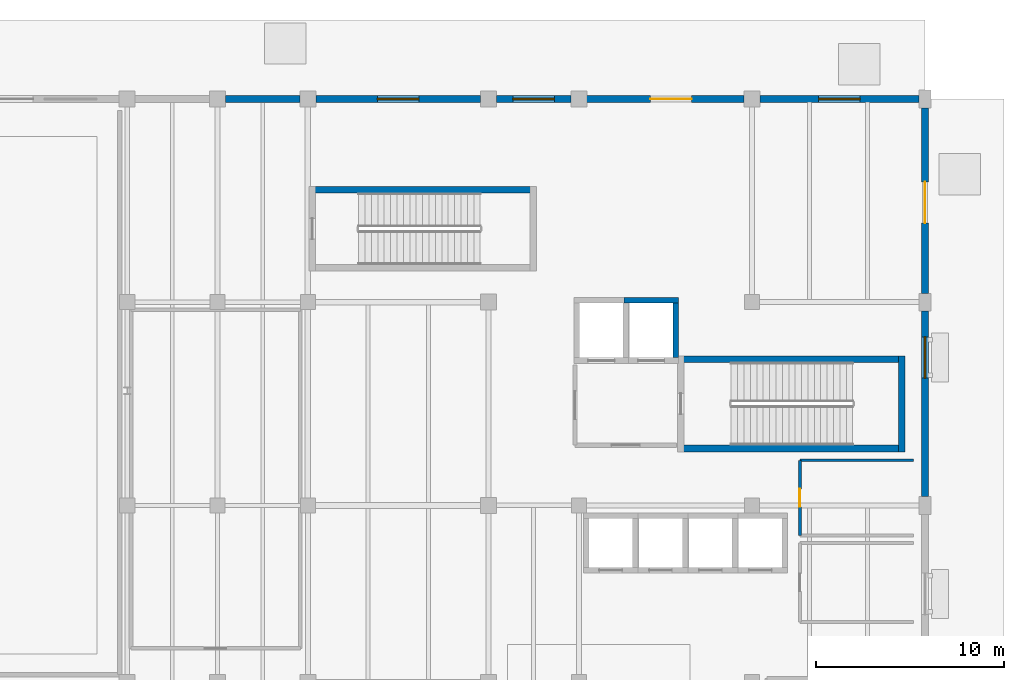
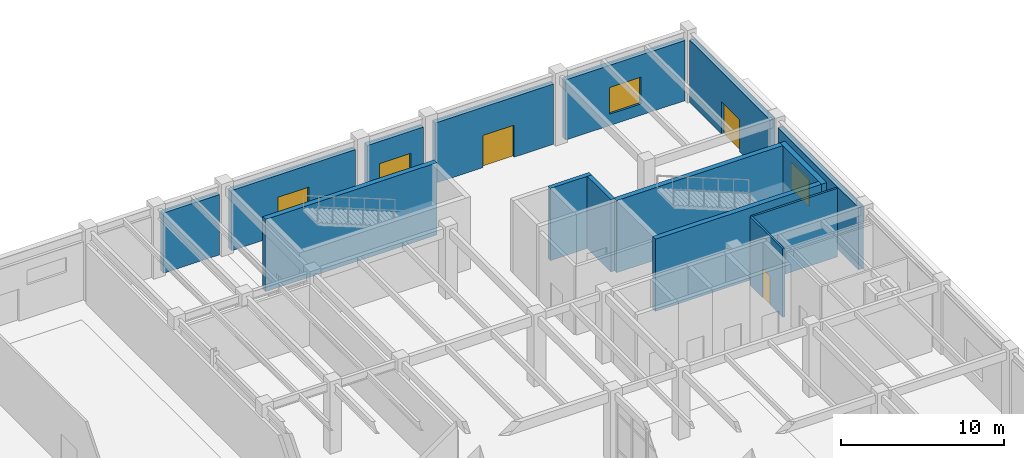
# One storey, part 36 of 54: 15 walls, 4 windows, 3 doors, 7 openings.
"""IFC4 building model written with IfcOpenShell, lengths in metres."""

from ifc_helpers import new_model, si_unit, direction, frame, frame_2d, origin, place, context, subcontext, project, spatial, rectangle, extrude, material, layer, layer_set, type_object, element, fill, save


model = new_model("IFC4")

# Units and contexts
model_context = context("Model", 3, precision=1e-05, world=origin(), true_north=direction((0.0, 1.0)))
body_context = subcontext(model_context, "Body", "Model", "MODEL_VIEW")
ifc_project = project(units=[si_unit("LENGTHUNIT", "METRE"), si_unit("AREAUNIT", "SQUARE_METRE"), si_unit("VOLUMEUNIT", "CUBIC_METRE"), si_unit("PLANEANGLEUNIT", "RADIAN"), si_unit("MASSUNIT", "GRAM", prefix="KILO")], contexts=[model_context])

# Site, building, storey
site_placement = place(None, origin())
site = spatial("IfcSite", under=ifc_project, at=site_placement, CompositionType="ELEMENT")
building_placement = place(site_placement, origin())
building = spatial("IfcBuilding", under=site, at=building_placement, Name="Veldera Park Congress Hotel", CompositionType="ELEMENT")
storey_placement = place(building_placement, origin())
storey = spatial("IfcBuildingStorey", under=building, at=storey_placement, Name="L00", CompositionType="ELEMENT", Elevation=0.0)

# Wall
ifc_material_1 = material(Name="Architectural Sandstone Cladding (ASTM C616)", Category="masonry")
ifc_layer_1 = layer(ifc_material_1, 0.360107421875)
ifc_layer_set_1 = layer_set([ifc_layer_1], Name="Architectural Sandstone Cladding (ASTM C616)")
wall_type_1 = type_object("IfcWallType", Name="EW-STONE360", PredefinedType="STANDARD", material=ifc_layer_set_1)
wall_1_placement = place(storey_placement, frame((50.777099609375, 58.0, 0.0), z_axis=(0.0, 0.0, 1.0), x_axis=(-1.0, 0.0, 0.0)))
element("IfcWall", 1, at=wall_1_placement, inside=storey, type_object=wall_type_1, Name="L00 Exterior Wall EW3-L00-0024", PredefinedType="STANDARD", context=body_context, shape_type="SweptSolid", body=[
    extrude(rectangle(XDim=3.9541015625, YDim=0.360107421875, at=frame_2d((1.97705078125, 0.0))), origin(), (0.0, 0.0, 1.0), 4.5029296875),
])

# Wall, opening, window
wall_2_placement = place(storey_placement, frame((84.0, 36.873046875, 0.0), z_axis=(0.0, 0.0, 1.0), x_axis=(0.0, 1.0, 0.0)))
wall_2 = element("IfcWall", 2, at=wall_2_placement, inside=storey, type_object=wall_type_1, Name="L00 Exterior Wall EW3-L00-0126", PredefinedType="STANDARD", context=body_context, shape_type="SweptSolid", body=[
    extrude(rectangle(XDim=9.85400390625, YDim=0.360107421875, at=frame_2d((4.927001953125, 0.0))), origin(), (0.0, 0.0, 1.0), 4.652099609375),
])
opening_1_placement = place(wall_2_placement, frame((6.29052734375, 0.0, 0.85009765625)))
opening_1 = element("IfcOpeningElement", 3, at=opening_1_placement, cuts=wall_2, Name="Opening WIN-2200", PredefinedType="OPENING", context=body_context, shape_type="SweptSolid", body=[
    extrude(rectangle(XDim=2.199951171875, YDim=2.0, at=frame_2d((1.10009765625, 1.0))), frame((0.0, 0.192138671875, 0.0), z_axis=(0.0, -1.0, 0.0), x_axis=(1.0, 0.0, 0.0)), (0.0, 0.0, 1.0), 0.384033203125),
])
ifc_material_2 = material(Name="Low-E Triple Insulating Glass Unit (SHGC 0.22)", Category="glass")
window_type = type_object("IfcWindowType", Name="WIN-2200", PartitioningType="DOUBLE_PANEL_VERTICAL", PredefinedType="WINDOW", material=ifc_material_2)
window_1_placement = place(opening_1_placement, origin())
window_1 = element("IfcWindow", 4, at=window_1_placement, inside=storey, type_object=window_type, Name="L00 Window WIN-2200 135", OverallHeight=2.0, OverallWidth=2.199951171875, PartitioningType="DOUBLE_PANEL_VERTICAL", PredefinedType="WINDOW", context=body_context, shape_type="SweptSolid", body=[
    extrude(rectangle(XDim=2.199951171875, YDim=2.0, at=frame_2d((1.10009765625, 1.0))), frame((0.0, 0.030029296875, 0.0), z_axis=(0.0, -1.0, 0.0), x_axis=(1.0, 0.0, 0.0)), (0.0, 0.0, 1.0), 0.06005859375),
])
fill(opening_1, window_1)

# Wall, opening, door
wall_3_placement = place(storey_placement, frame((84.0, 47.673095703125, 0.0), z_axis=(0.0, 0.0, 1.0), x_axis=(0.0, 1.0, 0.0)))
wall_3 = element("IfcWall", 5, at=wall_3_placement, inside=storey, type_object=wall_type_1, Name="L00 Exterior Wall EW3-L00-0127", PredefinedType="STANDARD", context=body_context, shape_type="SweptSolid", body=[
    extrude(rectangle(XDim=9.85400390625, YDim=0.360107421875, at=frame_2d((4.927001953125, 0.0))), origin(), (0.0, 0.0, 1.0), 4.652099609375),
])
opening_2_placement = place(wall_3_placement, frame((3.72705078125, 0.0, 0.0)))
opening_2 = element("IfcOpeningElement", 6, at=opening_2_placement, cuts=wall_3, Name="Opening ED-EXIT220", PredefinedType="OPENING", context=body_context, shape_type="SweptSolid", body=[
    extrude(rectangle(XDim=2.199951171875, YDim=2.39990234375, at=frame_2d((1.10009765625, 1.199951171875))), frame((0.0, 0.192138671875, 0.0), z_axis=(0.0, -1.0, 0.0), x_axis=(1.0, 0.0, 0.0)), (0.0, 0.0, 1.0), 0.384033203125),
])
ifc_material_3 = material(Name="Anodised Aluminium Alloy 6063-T6", Category="aluminium")
door_type_1 = type_object("IfcDoorType", Name="ED-EXIT220", OperationType="DOUBLE_DOOR_SINGLE_SWING", PredefinedType="DOOR", material=ifc_material_3)
door_1_placement = place(opening_2_placement, frame((2.199951171875, 0.0, 0.0), z_axis=(0.0, 0.0, 1.0), x_axis=(-1.0, 0.0, 0.0)))
door_1 = element("IfcDoor", 7, at=door_1_placement, inside=storey, type_object=door_type_1, Name="Exterior Door ED-20 (DR3-EXT-L00-0022)", OperationType="DOUBLE_DOOR_SINGLE_SWING", OverallHeight=2.39990234375, OverallWidth=2.199951171875, PredefinedType="DOOR", context=body_context, shape_type="SweptSolid", body=[
    extrude(rectangle(XDim=2.199951171875, YDim=2.39990234375, at=frame_2d((1.10009765625, 1.199951171875))), frame((0.0, 0.02490234375, 0.0), z_axis=(0.0, -1.0, 0.0), x_axis=(1.0, 0.0, 0.0)), (0.0, 0.0, 1.0), 0.050048828125),
])
fill(opening_2, door_1)

# Wall, opening, window
wall_4_placement = place(storey_placement, frame((83.677001953125, 58.0, 0.0), z_axis=(0.0, 0.0, 1.0), x_axis=(-1.0, 0.0, 0.0)))
wall_4 = element("IfcWall", 8, at=wall_4_placement, inside=storey, type_object=wall_type_1, Name="L00 Exterior Wall EW3-L00-0128", PredefinedType="STANDARD", context=body_context, shape_type="SweptSolid", body=[
    extrude(rectangle(XDim=8.4541015625, YDim=0.360107421875, at=frame_2d((4.22705078125, 0.0))), origin(), (0.0, 0.0, 1.0), 4.5029296875),
])
opening_3_placement = place(wall_4_placement, frame((3.126953125, 0.0, 0.85009765625)))
opening_3 = element("IfcOpeningElement", 9, at=opening_3_placement, cuts=wall_4, Name="Opening WIN-2200", PredefinedType="OPENING", context=body_context, shape_type="SweptSolid", body=[
    extrude(rectangle(XDim=2.199951171875, YDim=2.0, at=frame_2d((1.10009765625, 1.0))), frame((0.0, 0.192138671875, 0.0), z_axis=(0.0, -1.0, 0.0), x_axis=(1.0, 0.0, 0.0)), (0.0, 0.0, 1.0), 0.384033203125),
])
window_2_placement = place(opening_3_placement, origin())
window_2 = element("IfcWindow", 10, at=window_2_placement, inside=storey, type_object=window_type, Name="L00 Window WIN-2200 136", OverallHeight=2.0, OverallWidth=2.199951171875, PartitioningType="DOUBLE_PANEL_VERTICAL", PredefinedType="WINDOW", context=body_context, shape_type="SweptSolid", body=[
    extrude(rectangle(XDim=2.199951171875, YDim=2.0, at=frame_2d((1.10009765625, 1.0))), frame((0.0, 0.030029296875, 0.0), z_axis=(0.0, -1.0, 0.0), x_axis=(1.0, 0.0, 0.0)), (0.0, 0.0, 1.0), 0.06005859375),
])
fill(opening_3, window_2)

# Wall, opening, door
wall_5_placement = place(storey_placement, frame((74.376953125, 58.0, 0.0), z_axis=(0.0, 0.0, 1.0), x_axis=(-1.0, 0.0, 0.0)))
wall_5 = element("IfcWall", 11, at=wall_5_placement, inside=storey, type_object=wall_type_1, Name="L00 Exterior Wall EW3-L00-0129", PredefinedType="STANDARD", context=body_context, shape_type="SweptSolid", body=[
    extrude(rectangle(XDim=8.35400390625, YDim=0.360107421875, at=frame_2d((4.177001953125, 0.0))), origin(), (0.0, 0.0, 1.0), 4.5029296875),
])
opening_4_placement = place(wall_5_placement, frame((2.777099609375, 0.0, 0.0)))
opening_4 = element("IfcOpeningElement", 12, at=opening_4_placement, cuts=wall_5, Name="Opening ED-EXIT220", PredefinedType="OPENING", context=body_context, shape_type="SweptSolid", body=[
    extrude(rectangle(XDim=2.199951171875, YDim=2.39990234375, at=frame_2d((1.10009765625, 1.199951171875))), frame((0.0, 0.192138671875, 0.0), z_axis=(0.0, -1.0, 0.0), x_axis=(1.0, 0.0, 0.0)), (0.0, 0.0, 1.0), 0.384033203125),
])
door_2_placement = place(opening_4_placement, frame((2.199951171875, 0.0, 0.0), z_axis=(0.0, 0.0, 1.0), x_axis=(-1.0, 0.0, 0.0)))
door_2 = element("IfcDoor", 13, at=door_2_placement, inside=storey, type_object=door_type_1, Name="Exterior Door ED-21 (DR3-EXT-L00-0023)", OperationType="DOUBLE_DOOR_SINGLE_SWING", OverallHeight=2.39990234375, OverallWidth=2.199951171875, PredefinedType="DOOR", context=body_context, shape_type="SweptSolid", body=[
    extrude(rectangle(XDim=2.199951171875, YDim=2.39990234375, at=frame_2d((1.10009765625, 1.199951171875))), frame((0.0, 0.02490234375, 0.0), z_axis=(0.0, -1.0, 0.0), x_axis=(1.0, 0.0, 0.0)), (0.0, 0.0, 1.0), 0.050048828125),
])
fill(opening_4, door_2)

# Wall, opening, window
wall_6_placement = place(storey_placement, frame((65.177001953125, 58.0, 0.0), z_axis=(0.0, 0.0, 1.0), x_axis=(-1.0, 0.0, 0.0)))
wall_6 = element("IfcWall", 14, at=wall_6_placement, inside=storey, type_object=wall_type_1, Name="L00 Exterior Wall EW3-L00-0130", PredefinedType="STANDARD", context=body_context, shape_type="SweptSolid", body=[
    extrude(rectangle(XDim=3.9541015625, YDim=0.360107421875, at=frame_2d((1.97705078125, 0.0))), origin(), (0.0, 0.0, 1.0), 4.5029296875),
])
opening_5_placement = place(wall_6_placement, frame((0.876953125, 0.0, 0.85009765625)))
opening_5 = element("IfcOpeningElement", 15, at=opening_5_placement, cuts=wall_6, Name="Opening WIN-2200", PredefinedType="OPENING", context=body_context, shape_type="SweptSolid", body=[
    extrude(rectangle(XDim=2.199951171875, YDim=2.0, at=frame_2d((1.10009765625, 1.0))), frame((0.0, 0.192138671875, 0.0), z_axis=(0.0, -1.0, 0.0), x_axis=(1.0, 0.0, 0.0)), (0.0, 0.0, 1.0), 0.384033203125),
])
window_3_placement = place(opening_5_placement, origin())
window_3 = element("IfcWindow", 16, at=window_3_placement, inside=storey, type_object=window_type, Name="L00 Window WIN-2200 137", OverallHeight=2.0, OverallWidth=2.199951171875, PartitioningType="DOUBLE_PANEL_VERTICAL", PredefinedType="WINDOW", context=body_context, shape_type="SweptSolid", body=[
    extrude(rectangle(XDim=2.199951171875, YDim=2.0, at=frame_2d((1.10009765625, 1.0))), frame((0.0, 0.030029296875, 0.0), z_axis=(0.0, -1.0, 0.0), x_axis=(1.0, 0.0, 0.0)), (0.0, 0.0, 1.0), 0.06005859375),
])
fill(opening_5, window_3)

wall_7_placement = place(storey_placement, frame((60.376953125, 58.0, 0.0), z_axis=(0.0, 0.0, 1.0), x_axis=(-1.0, 0.0, 0.0)))
wall_7 = element("IfcWall", 17, at=wall_7_placement, inside=storey, type_object=wall_type_1, Name="L00 Exterior Wall EW3-L00-0131", PredefinedType="STANDARD", context=body_context, shape_type="SweptSolid", body=[
    extrude(rectangle(XDim=8.75390625, YDim=0.360107421875, at=frame_2d((4.376953125, 0.0))), origin(), (0.0, 0.0, 1.0), 4.5029296875),
])
opening_6_placement = place(wall_7_placement, frame((3.277099609375, 0.0, 0.85009765625)))
opening_6 = element("IfcOpeningElement", 18, at=opening_6_placement, cuts=wall_7, Name="Opening WIN-2200", PredefinedType="OPENING", context=body_context, shape_type="SweptSolid", body=[
    extrude(rectangle(XDim=2.199951171875, YDim=2.0, at=frame_2d((1.10009765625, 1.0))), frame((0.0, 0.192138671875, 0.0), z_axis=(0.0, -1.0, 0.0), x_axis=(1.0, 0.0, 0.0)), (0.0, 0.0, 1.0), 0.384033203125),
])
window_4_placement = place(opening_6_placement, origin())
window_4 = element("IfcWindow", 19, at=window_4_placement, inside=storey, type_object=window_type, Name="L00 Window WIN-2200 138", OverallHeight=2.0, OverallWidth=2.199951171875, PartitioningType="DOUBLE_PANEL_VERTICAL", PredefinedType="WINDOW", context=body_context, shape_type="SweptSolid", body=[
    extrude(rectangle(XDim=2.199951171875, YDim=2.0, at=frame_2d((1.10009765625, 1.0))), frame((0.0, 0.030029296875, 0.0), z_axis=(0.0, -1.0, 0.0), x_axis=(1.0, 0.0, 0.0)), (0.0, 0.0, 1.0), 0.06005859375),
])
fill(opening_6, window_4)

# Wall
ifc_material_4 = material(Name="Fire-Rated Gypsum Board on Cold-Formed Steel Studs", Category="steel")
ifc_layer_2 = layer(ifc_material_4, 0.14990234375)
ifc_layer_set_2 = layer_set([ifc_layer_2], Name="Fire-Rated Gypsum Board on Cold-Formed Steel Studs")
wall_type_2 = type_object("IfcWallType", Name="IW-PLMB150", PredefinedType="PLUMBINGWALL", material=ifc_layer_set_2)
wall_8_placement = place(storey_placement, frame((83.39990234375, 38.800048828125, 0.0), z_axis=(0.0, 0.0, 1.0), x_axis=(-1.0, 0.0, 0.0)))
element("IfcWall", 20, at=wall_8_placement, inside=storey, type_object=wall_type_2, Name="L00 Partition Wall IW3-L00-00088", PredefinedType="PLUMBINGWALL", context=body_context, shape_type="SweptSolid", body=[
    extrude(rectangle(XDim=6.0498046875, YDim=0.14990234375, at=frame_2d((3.02490234375, 0.0))), origin(), (0.0, 0.0, 1.0), 5.1201171875),
])

# Wall, opening, door
wall_9_placement = place(storey_placement, frame((77.35009765625, 38.800048828125, 0.0), z_axis=(0.0, 0.0, 1.0), x_axis=(0.0, -1.0, 0.0)))
wall_9 = element("IfcWall", 21, at=wall_9_placement, inside=storey, type_object=wall_type_2, Name="L00 Partition Wall IW3-L00-00089", PredefinedType="PLUMBINGWALL", context=body_context, shape_type="SweptSolid", body=[
    extrude(rectangle(XDim=4.0, YDim=0.14990234375, at=frame_2d((2.0, 0.0))), origin(), (0.0, 0.0, 1.0), 5.1201171875),
])
opening_7_placement = place(wall_9_placement, frame((1.52490234375, 0.0, 0.0)))
opening_7 = element("IfcOpeningElement", 22, at=opening_7_placement, cuts=wall_9, Name="Opening ID-WC095", PredefinedType="OPENING", context=body_context, shape_type="SweptSolid", body=[
    extrude(rectangle(XDim=0.949951171875, YDim=2.14990234375, at=frame_2d((0.47509765625, 1.074951171875))), frame((0.0, 0.0869140625, 0.0), z_axis=(0.0, -1.0, 0.0), x_axis=(1.0, 0.0, 0.0)), (0.0, 0.0, 1.0), 0.173828125),
])
ifc_material_5 = material(Name="Solid Core White Oak Architectural Door", Category="wood")
door_type_2 = type_object("IfcDoorType", Name="ID-WC095", OperationType="NOTDEFINED", PredefinedType="DOOR", material=ifc_material_5)
door_3_placement = place(opening_7_placement, origin())
door_3 = element("IfcDoor", 23, at=door_3_placement, inside=storey, type_object=door_type_2, Name="L00 Hotel Lobby Female and Accessible WC Door ID3-L00-0031 (DR3-ID3-L00-0031)", OperationType="SINGLE_SWING_LEFT", OverallHeight=2.14990234375, OverallWidth=0.949951171875, PredefinedType="DOOR", context=body_context, shape_type="SweptSolid", body=[
    extrude(rectangle(XDim=0.949951171875, YDim=2.14990234375, at=frame_2d((0.47509765625, 1.074951171875))), frame((0.0, 0.02490234375, 0.0), z_axis=(0.0, -1.0, 0.0), x_axis=(1.0, 0.0, 0.0)), (0.0, 0.0, 1.0), 0.050048828125),
])
fill(opening_7, door_3)

# Walls
ifc_material_6 = material(Name="Concrete f'c 40 MPa (5,800 psi)", Category="concrete")
ifc_layer_3 = layer(ifc_material_6, 0.35009765625)
ifc_layer_set_3 = layer_set([ifc_layer_3], Name="Concrete f'c 40 MPa (5,800 psi)")
wall_type_3 = type_object("IfcWallType", Name="SW-CORE350", PredefinedType="SHEAR", material=ifc_layer_set_3)
wall_10_placement = place(storey_placement, frame((70.85009765625, 39.425048828125, 0.0), z_axis=(0.0, 0.0, 1.0), x_axis=(1.0, 0.0, 0.0)))
element("IfcWall", 24, at=wall_10_placement, inside=storey, type_object=wall_type_3, Name="Stair ST1 Core Wall L00-S", PredefinedType="SHEAR", context=body_context, shape_type="SweptSolid", body=[
    extrude(rectangle(XDim=12.099853515625, YDim=0.35009765625, at=frame_2d((6.0498046875, 0.0))), origin(), (0.0, 0.0, 1.0), 5.39990234375),
])
wall_11_placement = place(storey_placement, frame((82.77490234375, 39.25, 0.0), z_axis=(0.0, 0.0, 1.0), x_axis=(0.0, 1.0, 0.0)))
element("IfcWall", 25, at=wall_11_placement, inside=storey, type_object=wall_type_3, Name="Stair ST1 Core Wall L00-E", PredefinedType="SHEAR", context=body_context, shape_type="SweptSolid", body=[
    extrude(rectangle(XDim=5.10009765625, YDim=0.35009765625, at=frame_2d((2.550048828125, 0.0))), origin(), (0.0, 0.0, 1.0), 5.39990234375),
])
wall_12_placement = place(storey_placement, frame((82.949951171875, 44.175048828125, 0.0), z_axis=(0.0, 0.0, 1.0), x_axis=(-1.0, 0.0, 0.0)))
element("IfcWall", 26, at=wall_12_placement, inside=storey, type_object=wall_type_3, Name="Stair ST1 Core Wall L00-N", PredefinedType="SHEAR", context=body_context, shape_type="SweptSolid", body=[
    extrude(rectangle(XDim=12.099853515625, YDim=0.35009765625, at=frame_2d((6.0498046875, 0.0))), origin(), (0.0, 0.0, 1.0), 5.39990234375),
])
wall_13_placement = place(storey_placement, frame((63.35009765625, 53.175048828125, 0.0), z_axis=(0.0, 0.0, 1.0), x_axis=(-1.0, 0.0, 0.0)))
element("IfcWall", 27, at=wall_13_placement, inside=storey, type_object=wall_type_3, Name="Stair ST3 Core Wall L00-N", PredefinedType="SHEAR", context=body_context, shape_type="SweptSolid", body=[
    extrude(rectangle(XDim=12.10009765625, YDim=0.35009765625, at=frame_2d((6.050048828125, 0.0))), origin(), (0.0, 0.0, 1.0), 5.39990234375),
])
ifc_layer_4 = layer(ifc_material_6, 0.300048828125)
ifc_layer_set_4 = layer_set([ifc_layer_4], Name="Concrete f'c 40 MPa (5,800 psi)")
wall_type_4 = type_object("IfcWallType", Name="SW-SHFT300", PredefinedType="SHEAR", material=ifc_layer_set_4)
for number, where, z_axis, x_axis, name in (
    (28, (70.89990234375, 47.300048828125, 0.0), (0.0, 0.0, 1.0), (-1.0, 0.0, 0.0), "Lift FL-02 Shaft Wall L00-N"),
    (29, (70.75, 44.25, 0.0), (0.0, 0.0, 1.0), (0.0, 1.0, 0.0), "Lift FL-02 Shaft Wall L00-E"),
):
    element("IfcWall", number, at=place(storey_placement, frame(where, z_axis=z_axis, x_axis=x_axis)), inside=storey, type_object=wall_type_4, Name=name, PredefinedType="SHEAR", context=body_context, shape_type="SweptSolid", body=[
        extrude(rectangle(XDim=2.89990234375, YDim=0.300048828125, at=frame_2d((1.449951171875, 0.0))), origin(), (0.0, 0.0, 1.0), 5.39990234375),
    ])

save(model, "model.ifc")
